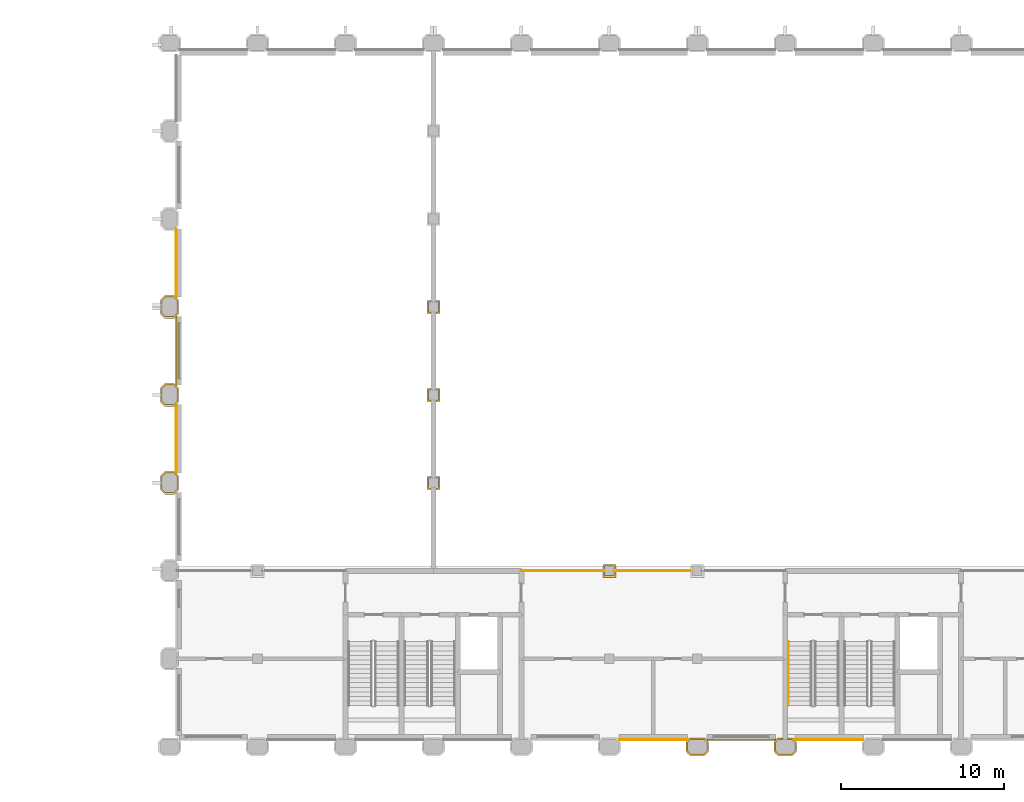
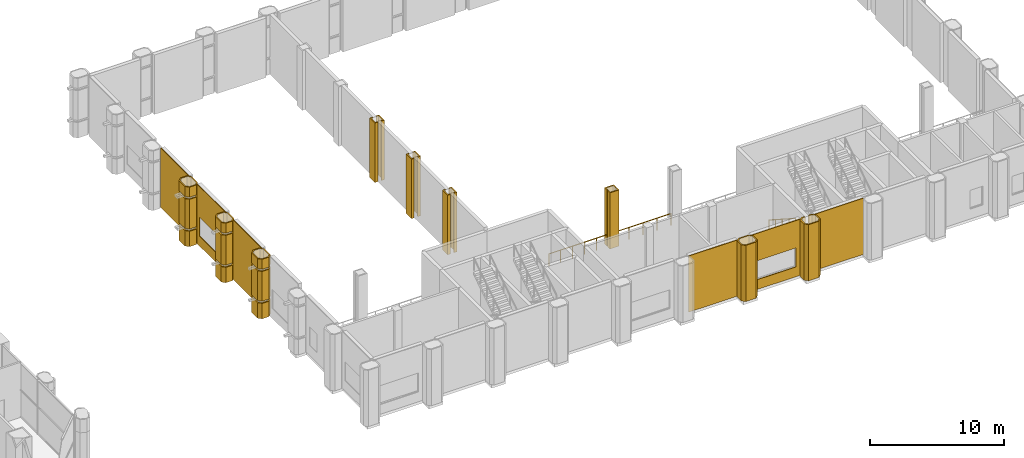
# One storey, part 24 of 27: 25 coverings, 3 railings.
"""IFC4 building model written with IfcOpenShell, lengths in metres."""

from ifc_helpers import new_model, si_unit, direction, frame, frame_2d, origin, origin_2d, place, context, subcontext, project, spatial, polyline, rectangle, circle, outline, extrude, material, layer, layer_set, type_object, element, save


model = new_model("IFC4")

# Units and contexts
model_context = context("Model", 3, precision=1e-05, world=origin(), true_north=direction((0.0, 1.0)))
body_context = subcontext(model_context, "Body", "Model", "MODEL_VIEW")
ifc_project = project(units=[si_unit("LENGTHUNIT", "METRE"), si_unit("AREAUNIT", "SQUARE_METRE"), si_unit("VOLUMEUNIT", "CUBIC_METRE"), si_unit("PLANEANGLEUNIT", "RADIAN"), si_unit("MASSUNIT", "GRAM", prefix="KILO")], contexts=[model_context])

# Site, building, storey
site_placement = place(None, origin())
site = spatial("IfcSite", under=ifc_project, at=site_placement, CompositionType="ELEMENT")
building_placement = place(site_placement, origin())
building = spatial("IfcBuilding", under=site, at=building_placement, Name="Tabaq Tower and Sports Hall", CompositionType="ELEMENT")
storey_placement = place(building_placement, frame((0.0, 0.0, 14.39990234375)))
storey = spatial("IfcBuildingStorey", under=building, at=storey_placement, Name="L02", CompositionType="ELEMENT", Elevation=14.39990234375)

# Coverings
ifc_material_1 = material(Name="Precast concrete C60/75", Category="concrete")
ifc_layer_1 = layer(ifc_material_1, 0.10009765625)
ifc_layer_set_1 = layer_set([ifc_layer_1], Name="Column cladding 100")
covering_type_1 = type_object("IfcCoveringType", Name="Column cladding 100", PredefinedType="CLADDING", material=ifc_layer_set_1)
covering_1_placement = place(storey_placement, origin())
element("IfcCovering", 1, at=covering_1_placement, inside=storey, type_object=covering_type_1, Name="Column cladding L02 HC-13D", PredefinedType="CLADDING", context=body_context, shape_type="SweptSolid", body=[
    extrude(outline(polyline([(65.09130859375, 15.500244140625), (64.5087890625, 15.500244140625), (64.250244140625, 15.7587890625), (64.250244140625, 16.641357421875), (64.5087890625, 16.899658203125), (65.09130859375, 16.899658203125), (65.349609375, 16.641357421875), (65.349609375, 15.7587890625), (65.09130859375, 15.500244140625)]), holes=[polyline([(65.250244140625, 16.60009765625), (65.050048828125, 16.80029296875), (64.5498046875, 16.80029296875), (64.349609375, 16.60009765625), (64.349609375, 15.7998046875), (64.5498046875, 15.599609375), (65.050048828125, 15.599609375), (65.250244140625, 15.7998046875), (65.250244140625, 16.60009765625)])]), origin(), (0.0, 0.0, 1.0), 1.400146484375),
])
covering_2_placement = place(storey_placement, frame((0.0, 0.0, 1.60009765625)))
element("IfcCovering", 2, at=covering_2_placement, inside=storey, type_object=covering_type_1, Name="Column cladding L02 HC-13D 2", PredefinedType="CLADDING", context=body_context, shape_type="SweptSolid", body=[
    extrude(outline(polyline([(65.09130859375, 15.500244140625), (64.5087890625, 15.500244140625), (64.250244140625, 15.7587890625), (64.250244140625, 16.641357421875), (64.5087890625, 16.899658203125), (65.09130859375, 16.899658203125), (65.349609375, 16.641357421875), (65.349609375, 15.7587890625), (65.09130859375, 15.500244140625)]), holes=[polyline([(65.250244140625, 16.60009765625), (65.050048828125, 16.80029296875), (64.5498046875, 16.80029296875), (64.349609375, 16.60009765625), (64.349609375, 15.7998046875), (64.5498046875, 15.599609375), (65.050048828125, 15.599609375), (65.250244140625, 15.7998046875), (65.250244140625, 16.60009765625)])]), origin(), (0.0, 0.0, 1.0), 2.699951171875),
])
covering_3_placement = place(storey_placement, frame((0.0, 0.0, 4.5)))
element("IfcCovering", 3, at=covering_3_placement, inside=storey, type_object=covering_type_1, Name="Column cladding L02 HC-13D 3", PredefinedType="CLADDING", context=body_context, shape_type="SweptSolid", body=[
    extrude(outline(polyline([(65.09130859375, 15.500244140625), (64.5087890625, 15.500244140625), (64.250244140625, 15.7587890625), (64.250244140625, 16.641357421875), (64.5087890625, 16.899658203125), (65.09130859375, 16.899658203125), (65.349609375, 16.641357421875), (65.349609375, 15.7587890625), (65.09130859375, 15.500244140625)]), holes=[polyline([(65.250244140625, 16.60009765625), (65.050048828125, 16.80029296875), (64.5498046875, 16.80029296875), (64.349609375, 16.60009765625), (64.349609375, 15.7998046875), (64.5498046875, 15.599609375), (65.050048828125, 15.599609375), (65.250244140625, 15.7998046875), (65.250244140625, 16.60009765625)])]), origin(), (0.0, 0.0, 1.0), 0.900146484375),
])
covering_4_placement = place(storey_placement, origin())
element("IfcCovering", 4, at=covering_4_placement, inside=storey, type_object=covering_type_1, Name="Column cladding L02 HC-13E", PredefinedType="CLADDING", context=body_context, shape_type="SweptSolid", body=[
    extrude(outline(polyline([(65.09130859375, 20.900390625), (64.5087890625, 20.900390625), (64.250244140625, 21.15869140625), (64.250244140625, 22.041259765625), (64.5087890625, 22.2998046875), (65.09130859375, 22.2998046875), (65.349609375, 22.041259765625), (65.349609375, 21.15869140625), (65.09130859375, 20.900390625)]), holes=[polyline([(65.250244140625, 22.000244140625), (65.050048828125, 22.2001953125), (64.5498046875, 22.2001953125), (64.349609375, 22.000244140625), (64.349609375, 21.199951171875), (64.5498046875, 20.999755859375), (65.050048828125, 20.999755859375), (65.250244140625, 21.199951171875), (65.250244140625, 22.000244140625)])]), origin(), (0.0, 0.0, 1.0), 1.400146484375),
])
covering_5_placement = place(storey_placement, frame((0.0, 0.0, 1.60009765625)))
element("IfcCovering", 5, at=covering_5_placement, inside=storey, type_object=covering_type_1, Name="Column cladding L02 HC-13E 2", PredefinedType="CLADDING", context=body_context, shape_type="SweptSolid", body=[
    extrude(outline(polyline([(65.09130859375, 20.900390625), (64.5087890625, 20.900390625), (64.250244140625, 21.15869140625), (64.250244140625, 22.041259765625), (64.5087890625, 22.2998046875), (65.09130859375, 22.2998046875), (65.349609375, 22.041259765625), (65.349609375, 21.15869140625), (65.09130859375, 20.900390625)]), holes=[polyline([(65.250244140625, 22.000244140625), (65.050048828125, 22.2001953125), (64.5498046875, 22.2001953125), (64.349609375, 22.000244140625), (64.349609375, 21.199951171875), (64.5498046875, 20.999755859375), (65.050048828125, 20.999755859375), (65.250244140625, 21.199951171875), (65.250244140625, 22.000244140625)])]), origin(), (0.0, 0.0, 1.0), 2.699951171875),
])
covering_6_placement = place(storey_placement, frame((0.0, 0.0, 4.5)))
element("IfcCovering", 6, at=covering_6_placement, inside=storey, type_object=covering_type_1, Name="Column cladding L02 HC-13E 3", PredefinedType="CLADDING", context=body_context, shape_type="SweptSolid", body=[
    extrude(outline(polyline([(65.09130859375, 20.900390625), (64.5087890625, 20.900390625), (64.250244140625, 21.15869140625), (64.250244140625, 22.041259765625), (64.5087890625, 22.2998046875), (65.09130859375, 22.2998046875), (65.349609375, 22.041259765625), (65.349609375, 21.15869140625), (65.09130859375, 20.900390625)]), holes=[polyline([(65.250244140625, 22.000244140625), (65.050048828125, 22.2001953125), (64.5498046875, 22.2001953125), (64.349609375, 22.000244140625), (64.349609375, 21.199951171875), (64.5498046875, 20.999755859375), (65.050048828125, 20.999755859375), (65.250244140625, 21.199951171875), (65.250244140625, 22.000244140625)])]), origin(), (0.0, 0.0, 1.0), 0.900146484375),
])
covering_7_placement = place(storey_placement, origin())
element("IfcCovering", 7, at=covering_7_placement, inside=storey, type_object=covering_type_1, Name="Column cladding L02 HC-13F", PredefinedType="CLADDING", context=body_context, shape_type="SweptSolid", body=[
    extrude(outline(polyline([(65.09130859375, 26.30029296875), (64.5087890625, 26.30029296875), (64.250244140625, 26.55859375), (64.250244140625, 27.44140625), (64.5087890625, 27.69970703125), (65.09130859375, 27.69970703125), (65.349609375, 27.44140625), (65.349609375, 26.55859375), (65.09130859375, 26.30029296875)]), holes=[polyline([(65.250244140625, 27.400146484375), (65.050048828125, 27.600341796875), (64.5498046875, 27.600341796875), (64.349609375, 27.400146484375), (64.349609375, 26.599853515625), (64.5498046875, 26.399658203125), (65.050048828125, 26.399658203125), (65.250244140625, 26.599853515625), (65.250244140625, 27.400146484375)])]), origin(), (0.0, 0.0, 1.0), 1.400146484375),
])
covering_8_placement = place(storey_placement, frame((0.0, 0.0, 1.60009765625)))
element("IfcCovering", 8, at=covering_8_placement, inside=storey, type_object=covering_type_1, Name="Column cladding L02 HC-13F 2", PredefinedType="CLADDING", context=body_context, shape_type="SweptSolid", body=[
    extrude(outline(polyline([(65.09130859375, 26.30029296875), (64.5087890625, 26.30029296875), (64.250244140625, 26.55859375), (64.250244140625, 27.44140625), (64.5087890625, 27.69970703125), (65.09130859375, 27.69970703125), (65.349609375, 27.44140625), (65.349609375, 26.55859375), (65.09130859375, 26.30029296875)]), holes=[polyline([(65.250244140625, 27.400146484375), (65.050048828125, 27.600341796875), (64.5498046875, 27.600341796875), (64.349609375, 27.400146484375), (64.349609375, 26.599853515625), (64.5498046875, 26.399658203125), (65.050048828125, 26.399658203125), (65.250244140625, 26.599853515625), (65.250244140625, 27.400146484375)])]), origin(), (0.0, 0.0, 1.0), 2.699951171875),
])
covering_9_placement = place(storey_placement, frame((0.0, 0.0, 4.5)))
element("IfcCovering", 9, at=covering_9_placement, inside=storey, type_object=covering_type_1, Name="Column cladding L02 HC-13F 3", PredefinedType="CLADDING", context=body_context, shape_type="SweptSolid", body=[
    extrude(outline(polyline([(65.09130859375, 26.30029296875), (64.5087890625, 26.30029296875), (64.250244140625, 26.55859375), (64.250244140625, 27.44140625), (64.5087890625, 27.69970703125), (65.09130859375, 27.69970703125), (65.349609375, 27.44140625), (65.349609375, 26.55859375), (65.09130859375, 26.30029296875)]), holes=[polyline([(65.250244140625, 27.400146484375), (65.050048828125, 27.600341796875), (64.5498046875, 27.600341796875), (64.349609375, 27.400146484375), (64.349609375, 26.599853515625), (64.5498046875, 26.399658203125), (65.050048828125, 26.399658203125), (65.250244140625, 26.599853515625), (65.250244140625, 27.400146484375)])]), origin(), (0.0, 0.0, 1.0), 0.900146484375),
])
covering_10_placement = place(storey_placement, origin())
element("IfcCovering", 10, at=covering_10_placement, inside=storey, type_object=covering_type_1, Name="Column cladding L02 HC-16D", PredefinedType="CLADDING", context=body_context, shape_type="SweptSolid", body=[
    extrude(outline(polyline([(80.849609375, 16.599609375), (80.849609375, 16.500244140625), (80.69970703125, 16.500244140625), (80.69970703125, 15.899658203125), (80.849609375, 15.899658203125), (80.849609375, 15.80029296875), (80.600341796875, 15.80029296875), (80.600341796875, 16.599609375), (80.849609375, 16.599609375)])), origin(), (0.0, 0.0, 1.0), 5.400146484375),
])
covering_11_placement = place(storey_placement, origin())
element("IfcCovering", 11, at=covering_11_placement, inside=storey, type_object=covering_type_1, Name="Column cladding L02 HC-16D 2", PredefinedType="CLADDING", context=body_context, shape_type="SweptSolid", body=[
    extrude(outline(polyline([(81.399658203125, 16.599609375), (81.399658203125, 15.80029296875), (81.150390625, 15.80029296875), (81.150390625, 15.899658203125), (81.30029296875, 15.899658203125), (81.30029296875, 16.500244140625), (81.150390625, 16.500244140625), (81.150390625, 16.599609375), (81.399658203125, 16.599609375)])), origin(), (0.0, 0.0, 1.0), 5.400146484375),
])
covering_12_placement = place(storey_placement, origin())
element("IfcCovering", 12, at=covering_12_placement, inside=storey, type_object=covering_type_1, Name="Column cladding L02 HC-16E", PredefinedType="CLADDING", context=body_context, shape_type="SweptSolid", body=[
    extrude(outline(polyline([(81.399658203125, 21.999755859375), (81.399658203125, 21.2001953125), (81.150390625, 21.2001953125), (81.150390625, 21.2998046875), (81.30029296875, 21.2998046875), (81.30029296875, 21.900390625), (81.150390625, 21.900390625), (81.150390625, 21.999755859375), (81.399658203125, 21.999755859375)])), origin(), (0.0, 0.0, 1.0), 5.400146484375),
])
covering_13_placement = place(storey_placement, origin())
element("IfcCovering", 13, at=covering_13_placement, inside=storey, type_object=covering_type_1, Name="Column cladding L02 HC-16E 2", PredefinedType="CLADDING", context=body_context, shape_type="SweptSolid", body=[
    extrude(outline(polyline([(80.849609375, 21.999755859375), (80.849609375, 21.900390625), (80.69970703125, 21.900390625), (80.69970703125, 21.2998046875), (80.849609375, 21.2998046875), (80.849609375, 21.2001953125), (80.600341796875, 21.2001953125), (80.600341796875, 21.999755859375), (80.849609375, 21.999755859375)])), origin(), (0.0, 0.0, 1.0), 5.400146484375),
])
covering_14_placement = place(storey_placement, origin())
element("IfcCovering", 14, at=covering_14_placement, inside=storey, type_object=covering_type_1, Name="Column cladding L02 HC-16F", PredefinedType="CLADDING", context=body_context, shape_type="SweptSolid", body=[
    extrude(outline(polyline([(81.399658203125, 27.399658203125), (81.399658203125, 26.600341796875), (81.150390625, 26.600341796875), (81.150390625, 26.69970703125), (81.30029296875, 26.69970703125), (81.30029296875, 27.30029296875), (81.150390625, 27.30029296875), (81.150390625, 27.399658203125), (81.399658203125, 27.399658203125)])), origin(), (0.0, 0.0, 1.0), 5.400146484375),
])
covering_15_placement = place(storey_placement, origin())
element("IfcCovering", 15, at=covering_15_placement, inside=storey, type_object=covering_type_1, Name="Column cladding L02 HC-16F 2", PredefinedType="CLADDING", context=body_context, shape_type="SweptSolid", body=[
    extrude(outline(polyline([(80.849609375, 27.399658203125), (80.849609375, 27.30029296875), (80.69970703125, 27.30029296875), (80.69970703125, 26.69970703125), (80.849609375, 26.69970703125), (80.849609375, 26.600341796875), (80.600341796875, 26.600341796875), (80.600341796875, 27.399658203125), (80.849609375, 27.399658203125)])), origin(), (0.0, 0.0, 1.0), 5.400146484375),
])
covering_16_placement = place(storey_placement, origin())
element("IfcCovering", 16, at=covering_16_placement, inside=storey, type_object=covering_type_1, Name="Column cladding L02 HC-18C", PredefinedType="CLADDING", context=body_context, shape_type="SweptSolid", body=[
    extrude(outline(polyline([(92.19970703125, 11.19970703125), (92.19970703125, 10.84033203125), (92.100341796875, 10.84033203125), (92.100341796875, 11.100341796875), (91.499755859375, 11.100341796875), (91.499755859375, 10.84033203125), (91.400390625, 10.84033203125), (91.400390625, 11.19970703125), (92.19970703125, 11.19970703125)])), origin(), (0.0, 0.0, 1.0), 5.10009765625),
])
covering_17_placement = place(storey_placement, origin())
element("IfcCovering", 17, at=covering_17_placement, inside=storey, type_object=covering_type_1, Name="Column cladding L02 HC-18C 2", PredefinedType="CLADDING", context=body_context, shape_type="SweptSolid", body=[
    extrude(outline(polyline([(92.19970703125, 10.400390625), (91.400390625, 10.400390625), (91.400390625, 10.759765625), (91.499755859375, 10.759765625), (91.499755859375, 10.499755859375), (92.100341796875, 10.499755859375), (92.100341796875, 10.759765625), (92.19970703125, 10.759765625), (92.19970703125, 10.400390625)])), origin(), (0.0, 0.0, 1.0), 5.10009765625),
])
covering_18_placement = place(storey_placement, origin())
element("IfcCovering", 18, at=covering_18_placement, inside=storey, type_object=covering_type_1, Name="Column cladding L02 HC-19A", PredefinedType="CLADDING", context=body_context, shape_type="SweptSolid", body=[
    extrude(outline(polyline([(96.500244140625, -0.291259765625), (96.500244140625, 0.291259765625), (96.7587890625, 0.5498046875), (97.641357421875, 0.5498046875), (97.899658203125, 0.291259765625), (97.899658203125, -0.291259765625), (97.641357421875, -0.5498046875), (96.7587890625, -0.5498046875), (96.500244140625, -0.291259765625)]), holes=[polyline([(97.60009765625, -0.4501953125), (97.80029296875, -0.250244140625), (97.80029296875, 0.250244140625), (97.60009765625, 0.4501953125), (96.7998046875, 0.4501953125), (96.599609375, 0.250244140625), (96.599609375, -0.250244140625), (96.7998046875, -0.4501953125), (97.60009765625, -0.4501953125)])]), origin(), (0.0, 0.0, 1.0), 5.10009765625),
])
covering_19_placement = place(storey_placement, origin())
element("IfcCovering", 19, at=covering_19_placement, inside=storey, type_object=covering_type_1, Name="Column cladding L02 HC-20A", PredefinedType="CLADDING", context=body_context, shape_type="SweptSolid", body=[
    extrude(outline(polyline([(101.900390625, 0.291259765625), (102.15869140625, 0.5498046875), (102.44970703125, 0.5498046875), (102.44970703125, 0.4501953125), (102.199951171875, 0.4501953125), (101.999755859375, 0.250244140625), (101.999755859375, -0.250244140625), (102.199951171875, -0.4501953125), (103.000244140625, -0.4501953125), (103.2001953125, -0.250244140625), (103.2001953125, 0.250244140625), (103.000244140625, 0.4501953125), (102.750244140625, 0.4501953125), (102.750244140625, 0.5498046875), (103.041259765625, 0.5498046875), (103.2998046875, 0.291259765625), (103.2998046875, -0.291259765625), (103.041259765625, -0.5498046875), (102.15869140625, -0.5498046875), (101.900390625, -0.291259765625), (101.900390625, 0.291259765625)])), origin(), (0.0, 0.0, 1.0), 5.10009765625),
])

# Railings
ifc_material_2 = material(Name="Stainless steel and glass balustrade", Category="steel")
railing_type_1 = type_object("IfcRailingType", Name="HALL GUARD 1100", PredefinedType="GUARDRAIL", material=ifc_material_2)
railing_1_placement = place(storey_placement, frame((86.39990234375, 10.800048828125, 0.0)))
element("IfcRailing", 20, at=railing_1_placement, inside=storey, type_object=railing_type_1, Name="L02 gallery guard", PredefinedType="GUARDRAIL", context=body_context, shape_type="SweptSolid", body=[
    extrude(circle(Radius=0.02392578125, at=origin_2d()), frame((0.0, 0.0, 1.076171875), z_axis=(1.0, 0.0, 0.0), x_axis=(0.0, 1.0, 0.0)), (0.0, 0.0, 1.0), 5.10009765625),
    extrude(circle(Radius=0.02099609375, at=origin_2d()), origin(), (0.0, 0.0, 1.0), 1.052001953125),
    extrude(circle(Radius=0.02099609375, at=origin_2d()), frame((1.02001953125, 0.0, 0.0)), (0.0, 0.0, 1.0), 1.052001953125),
    extrude(circle(Radius=0.02099609375, at=origin_2d()), frame((2.0400390625, 0.0, 0.0)), (0.0, 0.0, 1.0), 1.052001953125),
    extrude(circle(Radius=0.02099609375, at=origin_2d()), frame((3.06005859375, 0.0, 0.0)), (0.0, 0.0, 1.0), 1.052001953125),
    extrude(circle(Radius=0.02099609375, at=origin_2d()), frame((4.080078125, 0.0, 0.0)), (0.0, 0.0, 1.0), 1.052001953125),
    extrude(circle(Radius=0.02099609375, at=origin_2d()), frame((5.10009765625, 0.0, 0.0)), (0.0, 0.0, 1.0), 1.052001953125),
])
railing_2_placement = place(storey_placement, frame((92.10009765625, 10.800048828125, 0.0)))
element("IfcRailing", 21, at=railing_2_placement, inside=storey, type_object=railing_type_1, Name="L02 gallery guard", PredefinedType="GUARDRAIL", context=body_context, shape_type="SweptSolid", body=[
    extrude(circle(Radius=0.02392578125, at=origin_2d()), frame((0.0, 0.0, 1.076171875), z_axis=(1.0, 0.0, 0.0), x_axis=(0.0, 1.0, 0.0)), (0.0, 0.0, 1.0), 4.7998046875),
    extrude(circle(Radius=0.02099609375, at=origin_2d()), origin(), (0.0, 0.0, 1.0), 1.052001953125),
    extrude(circle(Radius=0.02099609375, at=origin_2d()), frame((1.199951171875, 0.0, 0.0)), (0.0, 0.0, 1.0), 1.052001953125),
    extrude(circle(Radius=0.02099609375, at=origin_2d()), frame((2.39990234375, 0.0, 0.0)), (0.0, 0.0, 1.0), 1.052001953125),
    extrude(circle(Radius=0.02099609375, at=origin_2d()), frame((3.599853515625, 0.0, 0.0)), (0.0, 0.0, 1.0), 1.052001953125),
    extrude(circle(Radius=0.02099609375, at=origin_2d()), frame((4.7998046875, 0.0, 0.0)), (0.0, 0.0, 1.0), 1.052001953125),
])
ifc_material_3 = material(Name="Stainless steel handrail", Category="steel")
railing_type_2 = type_object("IfcRailingType", Name="HALL HANDRAIL 900", PredefinedType="HANDRAIL", material=ifc_material_3)
railing_3_placement = place(storey_placement, frame((102.800048828125, 6.449951171875, 0.18017578125)))
element("IfcRailing", 22, at=railing_3_placement, inside=storey, type_object=railing_type_2, Name="L02 ST-H3 stair handrail 1", PredefinedType="HANDRAIL", context=body_context, shape_type="SweptSolid", body=[
    extrude(circle(Radius=0.02392578125, at=origin_2d()), frame((0.0, 0.0, 0.8759765625), z_axis=(0.0, -0.841171666519, 0.540768182723), x_axis=(1.0, 0.0, 0.0)), (0.0, 0.0, 1.0), 4.66015625),
    extrude(circle(Radius=0.02099609375, at=origin_2d()), origin(), (0.0, 0.0, 1.0), 0.851806640625),
    extrude(circle(Radius=0.02099609375, at=origin_2d()), frame((0.0, -0.97998046875, 0.6298828125)), (0.0, 0.0, 1.0), 0.851806640625),
    extrude(circle(Radius=0.02099609375, at=origin_2d()), frame((0.0, -1.9599609375, 1.260009765625)), (0.0, 0.0, 1.0), 0.851806640625),
    extrude(circle(Radius=0.02099609375, at=origin_2d()), frame((0.0, -2.93994140625, 1.89013671875)), (0.0, 0.0, 1.0), 0.851806640625),
    extrude(circle(Radius=0.02099609375, at=origin_2d()), frame((0.0, -3.919921875, 2.52001953125)), (0.0, 0.0, 1.0), 0.851806640625),
])

# Coverings
ifc_material_4 = material(Name="Precast concrete C60/75", Category="concrete")
ifc_layer_2 = layer(ifc_material_4, 0.06005859375)
ifc_layer_set_2 = layer_set([ifc_layer_2], Name="White precast cladding panel 60 C60/75")
covering_type_2 = type_object("IfcCoveringType", Name="White precast cladding panel 60 C60/75", PredefinedType="CLADDING", material=ifc_layer_set_2)
covering_20_placement = place(storey_placement, frame((92.39990234375, 0.419921875, 0.0), z_axis=(0.0, 0.0, 1.0), x_axis=(1.0, 0.0, 0.0)))
element("IfcCovering", 23, at=covering_20_placement, inside=storey, type_object=covering_type_2, Name="White precast cladding panel L02 L02", PredefinedType="CLADDING", context=body_context, shape_type="SweptSolid", body=[
    extrude(rectangle(XDim=4.2001953125, YDim=0.06005859375, at=frame_2d((2.10009765625, 0.0))), origin(), (0.0, 0.0, 1.0), 5.10009765625),
])
covering_21_placement = place(storey_placement, frame((97.800048828125, 0.419921875, 0.0), z_axis=(0.0, 0.0, 1.0), x_axis=(1.0, 0.0, 0.0)))
element("IfcCovering", 24, at=covering_21_placement, inside=storey, type_object=covering_type_2, Name="White precast cladding panel L02 L02", PredefinedType="CLADDING", context=body_context, shape_type="SweptSolid", body=[
    extrude(outline(polyline([(0.0, 0.0), (4.199951171875, 0.0), (4.199951171875, 5.10009765625), (0.0, 5.10009765625), (0.0, 0.0)]), holes=[polyline([(0.389892578125, 0.89013671875), (0.389892578125, 2.610107421875), (3.81005859375, 2.610107421875), (3.81005859375, 0.89013671875), (0.389892578125, 0.89013671875)])]), frame((0.0, 0.030029296875, 0.0), z_axis=(0.0, -1.0, 0.0), x_axis=(1.0, 0.0, 0.0)), (0.0, 0.0, 1.0), 0.06005859375),
])
covering_22_placement = place(storey_placement, frame((103.199951171875, 0.419921875, 0.0), z_axis=(0.0, 0.0, 1.0), x_axis=(1.0, 0.0, 0.0)))
element("IfcCovering", 25, at=covering_22_placement, inside=storey, type_object=covering_type_2, Name="White precast cladding panel L02 L02", PredefinedType="CLADDING", context=body_context, shape_type="SweptSolid", body=[
    extrude(rectangle(XDim=4.199951171875, YDim=0.06005859375, at=frame_2d((2.10009765625, 0.0))), origin(), (0.0, 0.0, 1.0), 5.10009765625),
])
covering_23_placement = place(storey_placement, frame((65.219970703125, 16.800048828125, 0.0), z_axis=(0.0, 0.0, 1.0), x_axis=(0.0, 1.0, 0.0)))
element("IfcCovering", 26, at=covering_23_placement, inside=storey, type_object=covering_type_2, Name="White precast cladding panel L02 L02", PredefinedType="CLADDING", context=body_context, shape_type="SweptSolid", body=[
    extrude(rectangle(XDim=4.199951171875, YDim=0.06005859375, at=frame_2d((2.10009765625, 0.0))), origin(), (0.0, 0.0, 1.0), 5.400146484375),
])
covering_24_placement = place(storey_placement, frame((65.219970703125, 22.199951171875, 0.0), z_axis=(0.0, 0.0, 1.0), x_axis=(0.0, 1.0, 0.0)))
element("IfcCovering", 27, at=covering_24_placement, inside=storey, type_object=covering_type_2, Name="White precast cladding panel L02 L02", PredefinedType="CLADDING", context=body_context, shape_type="SweptSolid", body=[
    extrude(outline(polyline([(0.0, 0.0), (4.199951171875, 0.0), (4.199951171875, 5.400146484375), (0.0, 5.400146484375), (0.0, 0.0)]), holes=[polyline([(0.389892578125, 0.89013671875), (0.389892578125, 2.610107421875), (3.81005859375, 2.610107421875), (3.81005859375, 0.89013671875), (0.389892578125, 0.89013671875)])]), frame((0.0, 0.030029296875, 0.0), z_axis=(0.0, -1.0, 0.0), x_axis=(1.0, 0.0, 0.0)), (0.0, 0.0, 1.0), 0.06005859375),
])
covering_25_placement = place(storey_placement, frame((65.219970703125, 27.60009765625, 0.0), z_axis=(0.0, 0.0, 1.0), x_axis=(0.0, 1.0, 0.0)))
element("IfcCovering", 28, at=covering_25_placement, inside=storey, type_object=covering_type_2, Name="White precast cladding panel L02 L02", PredefinedType="CLADDING", context=body_context, shape_type="SweptSolid", body=[
    extrude(rectangle(XDim=4.199951171875, YDim=0.06005859375, at=frame_2d((2.10009765625, 0.0))), origin(), (0.0, 0.0, 1.0), 5.400146484375),
])

save(model, "model.ifc")
